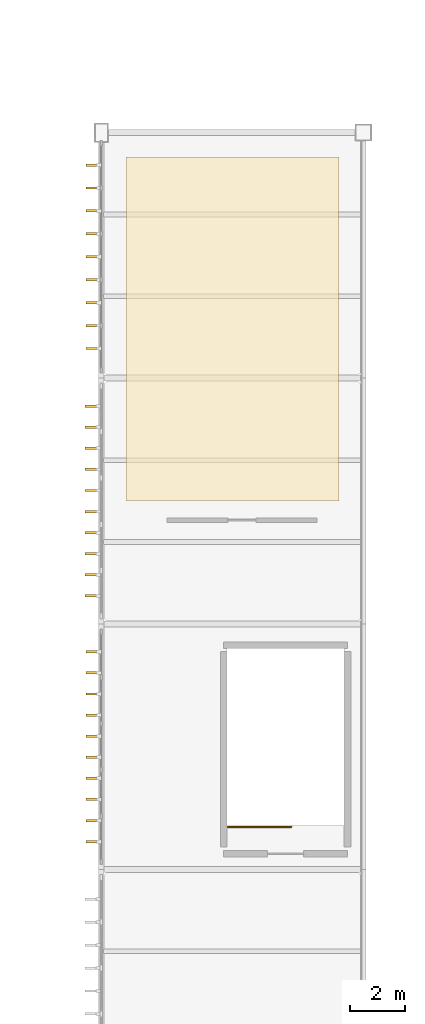
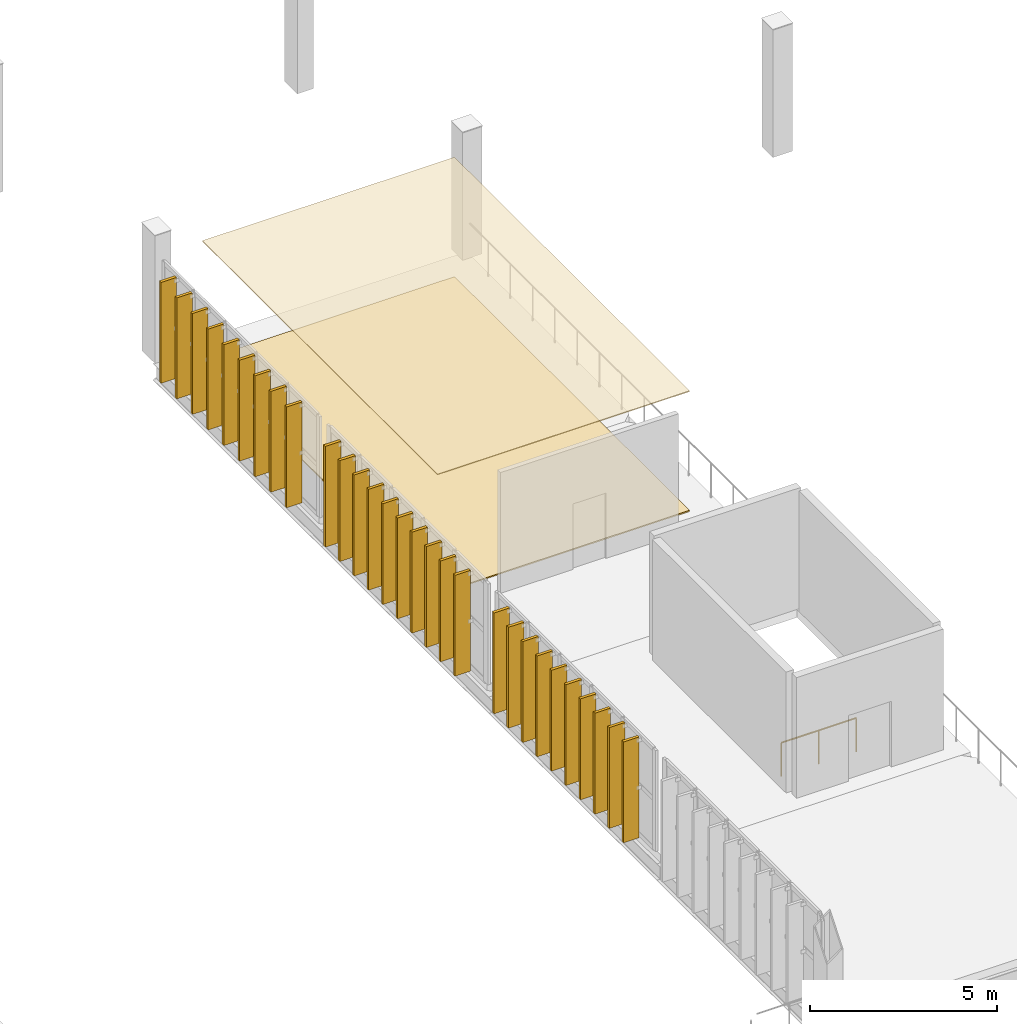
# One storey, part 79 of 82: 31 coverings, 1 railing.
"""IFC4 building model written with IfcOpenShell, lengths in metres."""

import ifcopenshell
import ifcopenshell.guid

model = None  # the IFC model being written
_history = None  # IfcOwnerHistory: only IFC2X3 demands one
_inside = {}  # id of a spatial element -> (the spatial element, [elements in it])
_under = {}  # id of a project, library or spatial element -> (it, [spatial elements below it])
_declared = {}  # id of a project -> (the project, [libraries it declares])
_typed = {}  # id of a type object -> (the type object, [elements of that type])
_made_of = {}  # id of a material, layer set ... -> (it, [elements and type objects made of it])


def new_model(schema):
    """Start an empty IFC model of exactly this schema.

    Asked for "IFC4X3", IfcOpenShell would pick the latest addendum, in which some entities
    have other attributes; the version numbers below select the first issue.
    IFC2X3 requires an IfcOwnerHistory on every rooted entity: one is made here for all.
    """
    global model, _history
    if schema == "IFC4X3":
        model = ifcopenshell.file(schema_version=(4, 3, 0, 0))
    else:
        model = ifcopenshell.file(schema=schema)
    _inside.clear()
    _under.clear()
    _declared.clear()
    _typed.clear()
    _made_of.clear()
    _history = None
    if model.schema == "IFC2X3":
        org = make("IfcOrganization", Name="unknown")
        user = make(
            "IfcPersonAndOrganization",
            ThePerson=make("IfcPerson", FamilyName="unknown"),
            TheOrganization=org,
        )
        app = make(
            "IfcApplication",
            ApplicationDeveloper=org,
            Version="unknown",
            ApplicationFullName="unknown",
            ApplicationIdentifier="unknown",
        )
        _history = make(
            "IfcOwnerHistory",
            OwningUser=user,
            OwningApplication=app,
            ChangeAction="ADDED",
            CreationDate=0,
        )
    return model


def make(cls, **values):
    """One entity of the class cls with the attributes given. An attribute that is None is left unset."""
    return model.create_entity(
        cls, **{name: value for name, value in values.items() if value is not None}
    )


def rooted(cls, **values):
    """An entity with a GlobalId (a new one), such as an element, a storey or a relation."""
    return make(cls, GlobalId=ifcopenshell.guid.new(), OwnerHistory=_history, **values)


def si_unit(unit_type, name, prefix=None):
    """IfcSIUnit, for example si_unit("LENGTHUNIT", "METRE", prefix="MILLI")."""
    return make("IfcSIUnit", UnitType=unit_type, Prefix=prefix, Name=name)


def assignment(units):
    """IfcUnitAssignment: the units of a project."""
    return None if units is None else make("IfcUnitAssignment", Units=units)


def point(xyz):
    """IfcCartesianPoint."""
    return None if xyz is None else make("IfcCartesianPoint", Coordinates=xyz)


def direction(xyz):
    """IfcDirection."""
    return None if xyz is None else make("IfcDirection", DirectionRatios=xyz)


def frame(location, z_axis=None, x_axis=None):
    """IfcAxis2Placement3D, a coordinate frame: its origin and axes. An axis left out is left unset."""
    return make(
        "IfcAxis2Placement3D",
        Location=point(location),
        Axis=direction(z_axis),
        RefDirection=direction(x_axis),
    )


def frame_2d(location, x_axis=None):
    """IfcAxis2Placement2D, a coordinate frame in the plane: its origin and x axis."""
    return make(
        "IfcAxis2Placement2D", Location=point(location), RefDirection=direction(x_axis)
    )


def origin():
    """The frame at (0, 0, 0) with its axes left unset."""
    return frame((0.0, 0.0, 0.0))


def origin_2d():
    """The frame at (0, 0) in the plane with its x axis left unset."""
    return frame_2d((0.0, 0.0))


def place(relative_to, where):
    """IfcLocalPlacement: puts the frame where relative to a parent placement (None: the world)."""
    return make(
        "IfcLocalPlacement", PlacementRelTo=relative_to, RelativePlacement=where
    )


def context(
    kind, dimensions, precision=None, world=None, true_north=None, identifier=None
):
    """IfcGeometricRepresentationContext, for example the 3D "Model" context."""
    return make(
        "IfcGeometricRepresentationContext",
        ContextIdentifier=identifier,
        ContextType=kind,
        CoordinateSpaceDimension=dimensions,
        Precision=precision,
        WorldCoordinateSystem=world,
        TrueNorth=true_north,
    )


def subcontext(parent, identifier, kind, view, scale=None):
    """IfcGeometricRepresentationSubContext, for example "Body" below "Model"."""
    return make(
        "IfcGeometricRepresentationSubContext",
        ContextIdentifier=identifier,
        ContextType=kind,
        ParentContext=parent,
        TargetScale=scale,
        TargetView=view,
    )


def project(units=None, contexts=None):
    """IfcProject with its units and contexts."""
    return rooted(
        "IfcProject",
        Name="project",
        RepresentationContexts=contexts,
        UnitsInContext=assignment(units),
    )


def spatial(cls, under=None, at=None, **own):
    """A site, building, storey or space (cls), placed at a placement, below another one or the project."""
    s = rooted(cls, ObjectPlacement=at, **own)
    if under is not None:
        _under.setdefault(under.id(), (under, []))[1].append(s)
    return s


def polyline(points):
    """IfcPolyline through the points."""
    return make("IfcPolyline", Points=[point(p) for p in points])


def profile(cls, at=None, kind="AREA", **sizes):
    """A parametric profile (cls). Its sizes go by their IFC names, for example OverallWidth=200.0."""
    return make(cls, ProfileType=kind, Position=at, **sizes)


def rectangle(**sizes):
    """IfcRectangleProfileDef."""
    return profile("IfcRectangleProfileDef", **sizes)


def circle(**sizes):
    """IfcCircleProfileDef."""
    return profile("IfcCircleProfileDef", **sizes)


def outline(outer, holes=None, kind="AREA"):
    """IfcArbitraryClosedProfileDef: a profile drawn as a closed curve; with holes, ...WithVoids."""
    if holes is None:
        return make("IfcArbitraryClosedProfileDef", ProfileType=kind, OuterCurve=outer)
    return make(
        "IfcArbitraryProfileDefWithVoids",
        ProfileType=kind,
        OuterCurve=outer,
        InnerCurves=holes,
    )


def extrude(swept, where, along, depth):
    """IfcExtrudedAreaSolid: the profile swept, set in the frame where, extruded along a direction by depth."""
    return make(
        "IfcExtrudedAreaSolid",
        SweptArea=swept,
        Position=where,
        ExtrudedDirection=direction(along),
        Depth=depth,
    )


def shape(context_of_items, identifier, shape_type, items):
    """IfcShapeRepresentation: the items that make up one representation, for example the "Body"."""
    return make(
        "IfcShapeRepresentation",
        ContextOfItems=context_of_items,
        RepresentationIdentifier=identifier,
        RepresentationType=shape_type,
        Items=items,
    )


def material(Name=None, Category=None):
    """IfcMaterial."""
    return make("IfcMaterial", Name=Name, Category=Category)


def layer(
    of_material, thickness, ventilated=None, Name=None, Category=None, Priority=None
):
    """IfcMaterialLayer: one layer of a wall or slab, of a material (None: an air gap)."""
    return make(
        "IfcMaterialLayer",
        Material=of_material,
        LayerThickness=thickness,
        IsVentilated=ventilated,
        Name=Name,
        Category=Category,
        Priority=Priority,
    )


def layer_set(layers, Name=None):
    """IfcMaterialLayerSet."""
    return make("IfcMaterialLayerSet", MaterialLayers=layers, LayerSetName=Name)


def made_of(thing, what):
    """Note that an element or type object is made of a material, layer set ...; save() writes the relation."""
    if what is not None:
        _made_of.setdefault(what.id(), (what, []))[1].append(thing)
    return thing


def type_object(cls, material=None, **own):
    """A type object (cls), such as IfcWallType, which elements share."""
    return made_of(rooted(cls, **own), material)


def element(
    cls,
    number,
    at=None,
    inside=None,
    cuts=None,
    type_object=None,
    material=None,
    context=None,
    identifier="Body",
    shape_type=None,
    held_by="IfcProductDefinitionShape",
    body=None,
    shapes=None,
    **own,
):
    """One element of the class cls, such as IfcWall. Its Tag is "e" and its number.

    at: its placement. inside: the storey or other place that contains it. cuts: it is an
    opening in that element (IfcRelVoidsElement). A single representation is given by context,
    identifier, shape_type and body (its items); several are given by shapes. held_by: the class
    of the entity that holds the representations. save() writes the other relations.
    """
    e = rooted(cls, Tag="e%d" % number, ObjectPlacement=at, **own)
    if body is not None:
        shapes = [shape(context, identifier, shape_type, body)]
    if shapes is not None:
        e.Representation = make(held_by, Representations=shapes)
    if inside is not None:
        _inside.setdefault(inside.id(), (inside, []))[1].append(e)
    if cuts is not None:
        rooted(
            "IfcRelVoidsElement", RelatingBuildingElement=cuts, RelatedOpeningElement=e
        )
    if type_object is not None:
        _typed.setdefault(type_object.id(), (type_object, []))[1].append(e)
    return made_of(e, material)


def aggregate(whole, parts):
    """IfcRelAggregates: a whole, such as a stair, and the parts it consists of."""
    return rooted("IfcRelAggregates", RelatingObject=whole, RelatedObjects=parts)


def save(model, path):
    """Write the relations noted so far, then the file.

    IfcRelAggregates (storeys below a building ...), IfcRelContainedInSpatialStructure (elements
    in a storey), IfcRelDefinesByType, IfcRelAssociatesMaterial and IfcRelDeclares: one each for
    every whole, place, type object, material and project.
    """
    for whole, parts in _under.values():
        aggregate(whole, parts)
    for where, things in _inside.values():
        rooted(
            "IfcRelContainedInSpatialStructure",
            RelatedElements=things,
            RelatingStructure=where,
        )
    for kind, things in _typed.values():
        rooted("IfcRelDefinesByType", RelatedObjects=things, RelatingType=kind)
    for what, things in _made_of.values():
        rooted("IfcRelAssociatesMaterial", RelatedObjects=things, RelatingMaterial=what)
    for by, libraries in _declared.values():
        rooted("IfcRelDeclares", RelatingContext=by, RelatedDefinitions=libraries)
    model.write(path)


model = new_model("IFC4")

# Units and contexts
model_context = context("Model", 3, precision=1e-05, world=origin(), true_north=direction((0.0, 1.0)))
body_context = subcontext(model_context, "Body", "Model", "MODEL_VIEW")
ifc_project = project(units=[si_unit("LENGTHUNIT", "METRE"), si_unit("AREAUNIT", "SQUARE_METRE"), si_unit("VOLUMEUNIT", "CUBIC_METRE"), si_unit("PLANEANGLEUNIT", "RADIAN"), si_unit("MASSUNIT", "GRAM", prefix="KILO")], contexts=[model_context])

# Site, building, storey
site_placement = place(None, origin())
site = spatial("IfcSite", under=ifc_project, at=site_placement, CompositionType="ELEMENT")
building_placement = place(site_placement, origin())
building = spatial("IfcBuilding", under=site, at=building_placement, Name="Zarnetskaya Central Station", CompositionType="ELEMENT")
storey_placement = place(building_placement, frame((0.0, 0.0, 10.199951171875)))
storey = spatial("IfcBuildingStorey", under=building, at=storey_placement, Name="L02", CompositionType="ELEMENT", Elevation=10.199951171875)

# Coverings
ifc_material_1 = material(Name="Acoustic mineral ceiling")
ifc_layer_1 = layer(ifc_material_1, 0.030029296875, Name="Acoustic mineral ceiling")
ifc_layer_set_1 = layer_set([ifc_layer_1], Name="Acoustic mineral ceiling")
covering_type_1 = type_object("IfcCoveringType", Name="COV-ACOU-CEIL", PredefinedType="CEILING", material=ifc_layer_set_1)
covering_1_placement = place(storey_placement, frame((0.0, 0.0, 3.920166015625)))
element("IfcCovering", 1, at=covering_1_placement, inside=storey, type_object=covering_type_1, Name="Acoustic suspended ceiling L02-402", PredefinedType="CEILING", context=body_context, shape_type="SweptSolid", body=[
    extrude(outline(polyline([(58.5, 44.699951171875), (66.300048828125, 44.699951171875), (66.300048828125, 57.300048828125), (58.5, 57.300048828125), (58.5, 44.699951171875)])), origin(), (0.0, 0.0, 1.0), 0.02978515625),
])
ifc_material_2 = material(Name="Granite stone flooring", Category="masonry")
ifc_layer_2 = layer(ifc_material_2, 0.0400390625, Name="Granite stone flooring", Category="masonry")
ifc_layer_set_2 = layer_set([ifc_layer_2], Name="Granite stone flooring")
covering_type_2 = type_object("IfcCoveringType", Name="COV-GRAN-FLR", PredefinedType="FLOORING", material=ifc_layer_set_2)
covering_2_placement = place(storey_placement, origin())
element("IfcCovering", 2, at=covering_2_placement, inside=storey, type_object=covering_type_2, Name="Granite terrazzo floor finish L02-402", PredefinedType="FLOORING", context=body_context, shape_type="SweptSolid", body=[
    extrude(outline(polyline([(58.5, 44.699951171875), (66.300048828125, 44.699951171875), (66.300048828125, 57.300048828125), (58.5, 57.300048828125), (58.5, 44.699951171875)])), origin(), (0.0, 0.0, 1.0), 0.0400390625),
])
ifc_material_3 = material(Name="Larch glulam GL28h", Category="wood")
covering_type_3 = type_object("IfcCoveringType", Name="COV-LARCH-BLADE", PredefinedType="CLADDING", material=ifc_material_3)
for number, where, z_axis, x_axis, name in (
    (3, (57.27001953125, 32.22265625, 0.0), (0.0, 0.0, 1.0), (0.0, 1.0, 0.0), "Vertical GL28h larch gable screen blade CW-L02-091-01"),
    (4, (57.27001953125, 32.995361328125, 0.0), (0.0, 0.0, 1.0), (0.0, 1.0, 0.0), "Vertical GL28h larch gable screen blade CW-L02-091-02"),
    (5, (57.27001953125, 33.76806640625, 0.0), (0.0, 0.0, 1.0), (0.0, 1.0, 0.0), "Vertical GL28h larch gable screen blade CW-L02-091-03"),
    (6, (57.27001953125, 34.541015625, 0.0), (0.0, 0.0, 1.0), (0.0, 1.0, 0.0), "Vertical GL28h larch gable screen blade CW-L02-091-04"),
    (7, (57.27001953125, 35.313720703125, 0.0), (0.0, 0.0, 1.0), (0.0, 1.0, 0.0), "Vertical GL28h larch gable screen blade CW-L02-091-05"),
    (8, (57.27001953125, 36.08642578125, 0.0), (0.0, 0.0, 1.0), (0.0, 1.0, 0.0), "Vertical GL28h larch gable screen blade CW-L02-091-06"),
    (9, (57.27001953125, 36.859130859375, 0.0), (0.0, 0.0, 1.0), (0.0, 1.0, 0.0), "Vertical GL28h larch gable screen blade CW-L02-091-07"),
    (10, (57.27001953125, 37.6318359375, 0.0), (0.0, 0.0, 1.0), (0.0, 1.0, 0.0), "Vertical GL28h larch gable screen blade CW-L02-091-08"),
    (11, (57.27001953125, 38.404541015625, 0.0), (0.0, 0.0, 1.0), (0.0, 1.0, 0.0), "Vertical GL28h larch gable screen blade CW-L02-091-09"),
    (12, (57.27001953125, 39.17724609375, 0.0), (0.0, 0.0, 1.0), (0.0, 1.0, 0.0), "Vertical GL28h larch gable screen blade CW-L02-091-10"),
    (13, (57.25, 41.22265625, 0.0), (0.0, 0.0, 1.0), (0.0, 1.0, 0.0), "Vertical GL28h larch gable screen blade CW-L02-094-01"),
    (14, (57.25, 41.995361328125, 0.0), (0.0, 0.0, 1.0), (0.0, 1.0, 0.0), "Vertical GL28h larch gable screen blade CW-L02-094-02"),
    (15, (57.25, 42.76806640625, 0.0), (0.0, 0.0, 1.0), (0.0, 1.0, 0.0), "Vertical GL28h larch gable screen blade CW-L02-094-03"),
    (16, (57.25, 43.541015625, 0.0), (0.0, 0.0, 1.0), (0.0, 1.0, 0.0), "Vertical GL28h larch gable screen blade CW-L02-094-04"),
    (17, (57.25, 44.313720703125, 0.0), (0.0, 0.0, 1.0), (0.0, 1.0, 0.0), "Vertical GL28h larch gable screen blade CW-L02-094-05"),
    (18, (57.25, 45.08642578125, 0.0), (0.0, 0.0, 1.0), (0.0, 1.0, 0.0), "Vertical GL28h larch gable screen blade CW-L02-094-06"),
    (19, (57.25, 45.859130859375, 0.0), (0.0, 0.0, 1.0), (0.0, 1.0, 0.0), "Vertical GL28h larch gable screen blade CW-L02-094-07"),
    (20, (57.25, 46.6318359375, 0.0), (0.0, 0.0, 1.0), (0.0, 1.0, 0.0), "Vertical GL28h larch gable screen blade CW-L02-094-08"),
    (21, (57.25, 47.404541015625, 0.0), (0.0, 0.0, 1.0), (0.0, 1.0, 0.0), "Vertical GL28h larch gable screen blade CW-L02-094-09"),
    (22, (57.25, 48.17724609375, 0.0), (0.0, 0.0, 1.0), (0.0, 1.0, 0.0), "Vertical GL28h larch gable screen blade CW-L02-094-10"),
    (23, (57.27001953125, 50.2900390625, 0.0), (0.0, 0.0, 1.0), (0.0, 1.0, 0.0), "Vertical GL28h larch gable screen blade CW-L02-097-01"),
    (24, (57.27001953125, 51.1298828125, 0.0), (0.0, 0.0, 1.0), (0.0, 1.0, 0.0), "Vertical GL28h larch gable screen blade CW-L02-097-02"),
    (25, (57.27001953125, 51.969970703125, 0.0), (0.0, 0.0, 1.0), (0.0, 1.0, 0.0), "Vertical GL28h larch gable screen blade CW-L02-097-03"),
    (26, (57.27001953125, 52.81005859375, 0.0), (0.0, 0.0, 1.0), (0.0, 1.0, 0.0), "Vertical GL28h larch gable screen blade CW-L02-097-04"),
    (27, (57.27001953125, 53.64990234375, 0.0), (0.0, 0.0, 1.0), (0.0, 1.0, 0.0), "Vertical GL28h larch gable screen blade CW-L02-097-05"),
    (28, (57.27001953125, 54.489990234375, 0.0), (0.0, 0.0, 1.0), (0.0, 1.0, 0.0), "Vertical GL28h larch gable screen blade CW-L02-097-06"),
    (29, (57.27001953125, 55.330078125, 0.0), (0.0, 0.0, 1.0), (0.0, 1.0, 0.0), "Vertical GL28h larch gable screen blade CW-L02-097-07"),
    (30, (57.27001953125, 56.169921875, 0.0), (0.0, 0.0, 1.0), (0.0, 1.0, 0.0), "Vertical GL28h larch gable screen blade CW-L02-097-08"),
    (31, (57.27001953125, 57.010009765625, 0.0), (0.0, 0.0, 1.0), (0.0, 1.0, 0.0), "Vertical GL28h larch gable screen blade CW-L02-097-09"),
):
    element("IfcCovering", number, at=place(storey_placement, frame(where, z_axis=z_axis, x_axis=x_axis)), inside=storey, type_object=covering_type_3, Name=name, PredefinedType="CLADDING", context=body_context, shape_type="SweptSolid", body=[
        extrude(rectangle(XDim=0.090087890625, YDim=0.47998046875, at=origin_2d()), origin(), (0.0, 0.0, 1.0), 3.300048828125),
    ])

# Railing
ifc_material_4 = material(Name="Steel S355", Category="steel")
railing_type = type_object("IfcRailingType", Name="RAIL-STAIR-GRD", PredefinedType="BALUSTRADE", material=ifc_material_4)
railing_placement = place(storey_placement, frame((62.239990234375, 32.760009765625, 0.0)))
element("IfcRailing", 32, at=railing_placement, inside=storey, type_object=railing_type, Name="Stair ST-H1 L02 floor well guard", PredefinedType="BALUSTRADE", context=body_context, shape_type="SweptSolid", body=[
    extrude(circle(Radius=0.02392578125, at=origin_2d()), frame((0.0, 0.0, 1.09619140625), z_axis=(1.0, 0.0, 0.0), x_axis=(0.0, 1.0, 0.0)), (0.0, 0.0, 1.0), 2.320068359375),
    extrude(circle(Radius=0.02099609375, at=origin_2d()), origin(), (0.0, 0.0, 1.0), 1.072021484375),
    extrude(circle(Radius=0.02099609375, at=origin_2d()), frame((1.16015625, 0.0, 0.0)), (0.0, 0.0, 1.0), 1.072021484375),
    extrude(circle(Radius=0.02099609375, at=origin_2d()), frame((2.320068359375, 0.0, 0.0)), (0.0, 0.0, 1.0), 1.072021484375),
])

save(model, "model.ifc")
